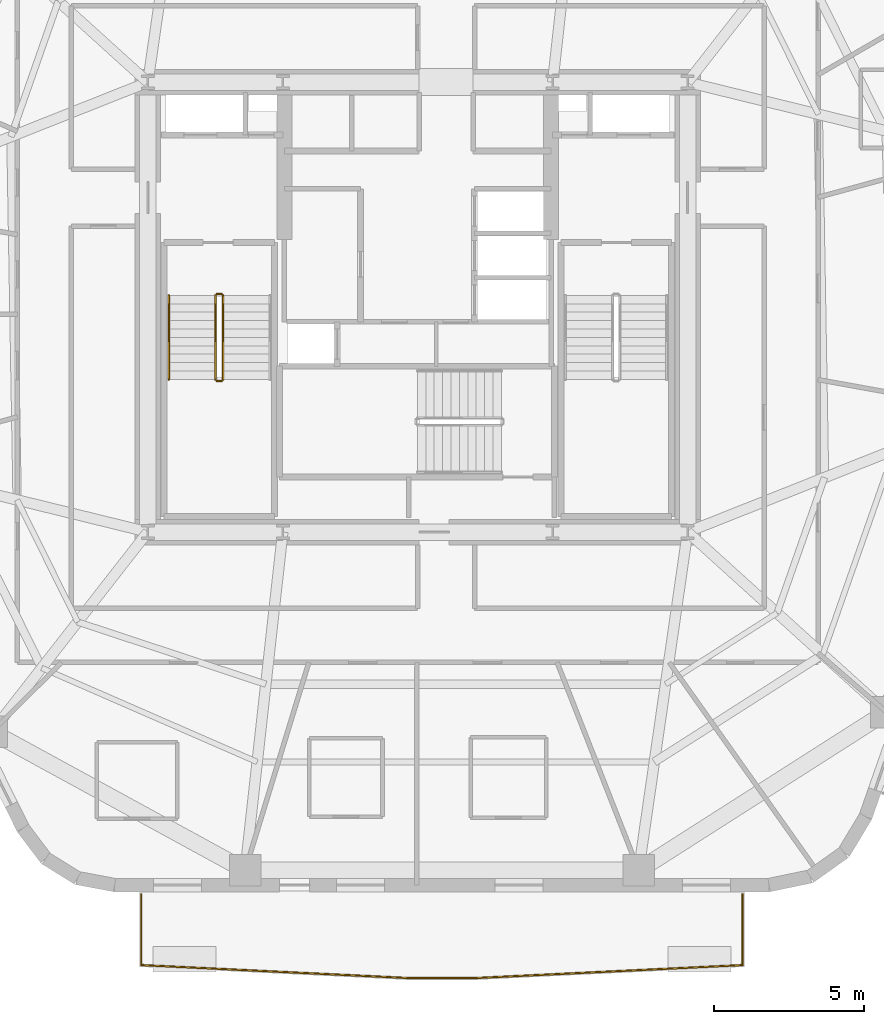
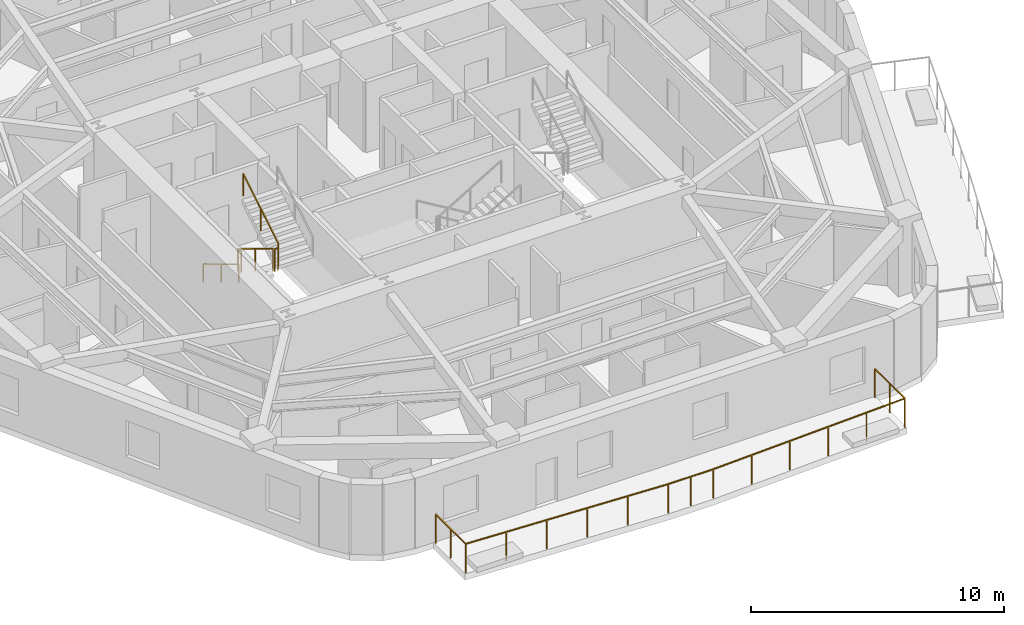
# One storey, part 8 of 11: 6 railings.
"""IFC4 building model written with IfcOpenShell, lengths in metres."""

from ifc_helpers import new_model, si_unit, direction, frame, origin, origin_2d, place, context, subcontext, project, spatial, rectangle, extrude, material, layer, layer_set, type_object, element, save


model = new_model("IFC4")

# Units and contexts
model_context = context("Model", 3, precision=1e-05, world=origin(), true_north=direction((0.0, 1.0)))
body_context = subcontext(model_context, "Body", "Model", "MODEL_VIEW")
ifc_project = project(units=[si_unit("LENGTHUNIT", "METRE"), si_unit("AREAUNIT", "SQUARE_METRE"), si_unit("VOLUMEUNIT", "CUBIC_METRE"), si_unit("PLANEANGLEUNIT", "RADIAN"), si_unit("MASSUNIT", "GRAM", prefix="KILO")], contexts=[model_context])

# Site, building, storey
site_placement = place(None, origin())
site = spatial("IfcSite", under=ifc_project, at=site_placement, CompositionType="ELEMENT")
building_placement = place(site_placement, origin())
building = spatial("IfcBuilding", under=site, at=building_placement, Name="Kilnhurst Terrace Hotel", CompositionType="ELEMENT")
storey_placement = place(building_placement, frame((0.0, 0.0, 166.5)))
storey = spatial("IfcBuildingStorey", under=building, at=storey_placement, Name="L41", CompositionType="ELEMENT", Elevation=166.5)

# Railings
ifc_material_1 = material(Name="Laminated SentryGlas and Stainless Steel AISI 316L Balustrade", Category="steel")
ifc_layer_1 = layer(ifc_material_1, 0.070068359375, Name="Laminated SentryGlas and Stainless Steel AISI 316L Balustrade")
ifc_layer_set_1 = layer_set([ifc_layer_1], Name="Laminated SentryGlas and Stainless Steel AISI 316L Balustrade")
railing_type_1 = type_object("IfcRailingType", Name="RLG-BAL-1420", PredefinedType="BALUSTRADE", material=ifc_layer_set_1)
railing_1_placement = place(storey_placement, frame((10.83349609375, -19.580078125, 0.0)))
element("IfcRailing", 1, at=railing_1_placement, inside=storey, type_object=railing_type_1, Name="L41 Exterior Terrace Guardrail BAL-L1A.1", PredefinedType="BALUSTRADE", context=body_context, shape_type="SweptSolid", body=[
    extrude(rectangle(XDim=0.048095703125, YDim=0.048095703125, at=origin_2d()), frame((0.0, 0.0, 1.39599609375), z_axis=(0.0, -1.0, 0.0), x_axis=(1.0, 0.0, 0.0)), (0.0, 0.0, 1.0), 2.36279296875),
    extrude(rectangle(XDim=0.048095703125, YDim=0.048095703125, at=origin_2d()), frame((0.0, -2.36279296875, 1.39599609375), z_axis=(-0.998822813861, -0.048507592295, 0.0), x_axis=(0.048507592295, -0.998822813861, 0.0)), (0.0, 0.0, 1.0), 9.009033203125),
    extrude(rectangle(XDim=0.048095703125, YDim=0.048095703125, at=origin_2d()), frame((-8.99853515625, -2.7998046875, 1.39599609375), z_axis=(-1.0, 0.0, 0.0), x_axis=(0.0, -1.0, 0.0)), (0.0, 0.0, 1.0), 2.0556640625),
    extrude(rectangle(XDim=0.048095703125, YDim=0.048095703125, at=origin_2d()), frame((-11.05419921875, -2.7998046875, 1.39599609375), z_axis=(-0.998822813861, 0.048507592295, 0.0), x_axis=(-0.048507592295, -0.998822813861, 0.0)), (0.0, 0.0, 1.0), 9.009033203125),
    extrude(rectangle(XDim=0.048095703125, YDim=0.048095703125, at=origin_2d()), frame((-20.052734375, -2.36279296875, 1.39599609375), z_axis=(0.0, 1.0, 0.0), x_axis=(-1.0, 0.0, 0.0)), (0.0, 0.0, 1.0), 2.36279296875),
    extrude(rectangle(XDim=0.0419921875, YDim=0.0419921875, at=origin_2d()), origin(), (0.0, 0.0, 1.0), 1.371826171875),
    extrude(rectangle(XDim=0.0419921875, YDim=0.0419921875, at=origin_2d()), frame((0.0, -1.181396484375, 0.0)), (0.0, 0.0, 1.0), 1.371826171875),
    extrude(rectangle(XDim=0.0419921875, YDim=0.0419921875, at=origin_2d()), frame((0.0, -2.36279296875, 0.0)), (0.0, 0.0, 1.0), 1.371826171875),
    extrude(rectangle(XDim=0.0419921875, YDim=0.0419921875, at=origin_2d()), frame((-1.7998046875, -2.4501953125, 0.0)), (0.0, 0.0, 1.0), 1.371826171875),
    extrude(rectangle(XDim=0.0419921875, YDim=0.0419921875, at=origin_2d()), frame((-3.599365234375, -2.53759765625, 0.0)), (0.0, 0.0, 1.0), 1.371826171875),
    extrude(rectangle(XDim=0.0419921875, YDim=0.0419921875, at=origin_2d()), frame((-5.399169921875, -2.625, 0.0)), (0.0, 0.0, 1.0), 1.371826171875),
    extrude(rectangle(XDim=0.0419921875, YDim=0.0419921875, at=origin_2d()), frame((-7.19873046875, -2.71240234375, 0.0)), (0.0, 0.0, 1.0), 1.371826171875),
    extrude(rectangle(XDim=0.0419921875, YDim=0.0419921875, at=origin_2d()), frame((-8.99853515625, -2.7998046875, 0.0)), (0.0, 0.0, 1.0), 1.371826171875),
    extrude(rectangle(XDim=0.0419921875, YDim=0.0419921875, at=origin_2d()), frame((-10.0263671875, -2.7998046875, 0.0)), (0.0, 0.0, 1.0), 1.371826171875),
    extrude(rectangle(XDim=0.0419921875, YDim=0.0419921875, at=origin_2d()), frame((-11.05419921875, -2.7998046875, 0.0)), (0.0, 0.0, 1.0), 1.371826171875),
    extrude(rectangle(XDim=0.0419921875, YDim=0.0419921875, at=origin_2d()), frame((-12.85400390625, -2.71240234375, 0.0)), (0.0, 0.0, 1.0), 1.371826171875),
    extrude(rectangle(XDim=0.0419921875, YDim=0.0419921875, at=origin_2d()), frame((-14.653564453125, -2.625, 0.0)), (0.0, 0.0, 1.0), 1.371826171875),
    extrude(rectangle(XDim=0.0419921875, YDim=0.0419921875, at=origin_2d()), frame((-16.453369140625, -2.53759765625, 0.0)), (0.0, 0.0, 1.0), 1.371826171875),
    extrude(rectangle(XDim=0.0419921875, YDim=0.0419921875, at=origin_2d()), frame((-18.2529296875, -2.4501953125, 0.0)), (0.0, 0.0, 1.0), 1.371826171875),
    extrude(rectangle(XDim=0.0419921875, YDim=0.0419921875, at=origin_2d()), frame((-20.052734375, -2.36279296875, 0.0)), (0.0, 0.0, 1.0), 1.371826171875),
    extrude(rectangle(XDim=0.0419921875, YDim=0.0419921875, at=origin_2d()), frame((-20.052734375, -1.181396484375, 0.0)), (0.0, 0.0, 1.0), 1.371826171875),
    extrude(rectangle(XDim=0.0419921875, YDim=0.0419921875, at=origin_2d()), frame((-20.052734375, 0.0, 0.0)), (0.0, 0.0, 1.0), 1.371826171875),
])
ifc_material_2 = material(Name="Powder-Coated Steel ASTM A500 Grade B", Category="steel")
ifc_layer_2 = layer(ifc_material_2, 0.050048828125, Name="Powder-Coated Steel ASTM A500 Grade B")
ifc_layer_set_2 = layer_set([ifc_layer_2], Name="Powder-Coated Steel ASTM A500 Grade B")
railing_type_2 = type_object("IfcRailingType", Name="RLG-ST-GRD-1100", PredefinedType="GUARDRAIL", material=ifc_layer_set_2)
railing_2_placement = place(storey_placement, frame((-6.739990234375, 0.389892578125, 0.168212890625)))
element("IfcRailing", 2, at=railing_2_placement, inside=storey, type_object=railing_type_2, Name="L41 ST-1 stair guard 1", PredefinedType="GUARDRAIL", context=body_context, shape_type="SweptSolid", body=[
    extrude(rectangle(XDim=0.048095703125, YDim=0.048095703125, at=origin_2d()), frame((0.0, 0.0, 1.076171875), z_axis=(0.0, -0.857222391501, 0.514946377315), x_axis=(1.0, 0.0, 0.0)), (0.0, 0.0, 1.0), 3.26611328125),
    extrude(rectangle(XDim=0.0419921875, YDim=0.0419921875, at=origin_2d()), origin(), (0.0, 0.0, 1.0), 1.052001953125),
    extrude(rectangle(XDim=0.0419921875, YDim=0.0419921875, at=origin_2d()), frame((0.0, -1.39990234375, 0.8408203125)), (0.0, 0.0, 1.0), 1.052001953125),
    extrude(rectangle(XDim=0.0419921875, YDim=0.0419921875, at=origin_2d()), frame((0.0, -2.7998046875, 1.681884765625)), (0.0, 0.0, 1.0), 1.052001953125),
])
railing_3_placement = place(storey_placement, frame((-6.68994140625, -2.4599609375, 1.85009765625)))
element("IfcRailing", 3, at=railing_3_placement, inside=storey, type_object=railing_type_2, Name="L41 ST-1 stair guard 2", PredefinedType="GUARDRAIL", context=body_context, shape_type="SweptSolid", body=[
    extrude(rectangle(XDim=0.048095703125, YDim=0.048095703125, at=origin_2d()), frame((0.0, 0.0, 1.076171875), z_axis=(1.0, 0.0, 0.0), x_axis=(0.0, 1.0, 0.0)), (0.0, 0.0, 1.0), 0.14990234375),
    extrude(rectangle(XDim=0.0419921875, YDim=0.0419921875, at=origin_2d()), origin(), (0.0, 0.0, 1.0), 1.052001953125),
    extrude(rectangle(XDim=0.0419921875, YDim=0.0419921875, at=origin_2d()), frame((0.14990234375, 0.0, 0.0)), (0.0, 0.0, 1.0), 1.052001953125),
])
railing_4_placement = place(storey_placement, frame((-6.489990234375, -2.409912109375, 2.01806640625)))
element("IfcRailing", 4, at=railing_4_placement, inside=storey, type_object=railing_type_2, Name="L41 ST-1 stair guard 3", PredefinedType="GUARDRAIL", context=body_context, shape_type="SweptSolid", body=[
    extrude(rectangle(XDim=0.048095703125, YDim=0.048095703125, at=origin_2d()), frame((0.0, 0.0, 1.076171875), z_axis=(0.0, 0.857222391501, 0.514946377315), x_axis=(-1.0, 0.0, 0.0)), (0.0, 0.0, 1.0), 3.26611328125),
    extrude(rectangle(XDim=0.0419921875, YDim=0.0419921875, at=origin_2d()), origin(), (0.0, 0.0, 1.0), 1.052001953125),
    extrude(rectangle(XDim=0.0419921875, YDim=0.0419921875, at=origin_2d()), frame((0.0, 1.39990234375, 0.8408203125)), (0.0, 0.0, 1.0), 1.052001953125),
    extrude(rectangle(XDim=0.0419921875, YDim=0.0419921875, at=origin_2d()), frame((0.0, 2.7998046875, 1.681884765625)), (0.0, 0.0, 1.0), 1.052001953125),
])
railing_5_placement = place(storey_placement, frame((-6.68994140625, 0.43994140625, 0.0)))
element("IfcRailing", 5, at=railing_5_placement, inside=storey, type_object=railing_type_2, Name="L41 ST-1 stair guard 4", PredefinedType="GUARDRAIL", context=body_context, shape_type="SweptSolid", body=[
    extrude(rectangle(XDim=0.048095703125, YDim=0.048095703125, at=origin_2d()), frame((0.0, 0.0, 1.076171875), z_axis=(1.0, 0.0, 0.0), x_axis=(0.0, 1.0, 0.0)), (0.0, 0.0, 1.0), 0.14990234375),
    extrude(rectangle(XDim=0.0419921875, YDim=0.0419921875, at=origin_2d()), origin(), (0.0, 0.0, 1.0), 1.052001953125),
    extrude(rectangle(XDim=0.0419921875, YDim=0.0419921875, at=origin_2d()), frame((0.14990234375, 0.0, 0.0)), (0.0, 0.0, 1.0), 1.052001953125),
])
ifc_material_3 = material(Name="Brushed Stainless Steel AISI 304", Category="steel")
ifc_layer_3 = layer(ifc_material_3, 0.048095703125, Name="Brushed Stainless Steel AISI 304")
ifc_layer_set_3 = layer_set([ifc_layer_3], Name="Brushed Stainless Steel AISI 304")
railing_type_3 = type_object("IfcRailingType", Name="RLG-ST-HRL-900", PredefinedType="HANDRAIL", material=ifc_layer_set_3)
railing_6_placement = place(storey_placement, frame((-8.300048828125, 0.389892578125, 0.168212890625)))
element("IfcRailing", 6, at=railing_6_placement, inside=storey, type_object=railing_type_3, Name="L41 ST-1 stair handrail 1", PredefinedType="HANDRAIL", context=body_context, shape_type="SweptSolid", body=[
    extrude(rectangle(XDim=0.048095703125, YDim=0.048095703125, at=origin_2d()), frame((0.0, 0.0, 0.8759765625), z_axis=(0.0, -0.857222391501, 0.514946377315), x_axis=(1.0, 0.0, 0.0)), (0.0, 0.0, 1.0), 3.26611328125),
    extrude(rectangle(XDim=0.0419921875, YDim=0.0419921875, at=origin_2d()), origin(), (0.0, 0.0, 1.0), 0.851806640625),
    extrude(rectangle(XDim=0.0419921875, YDim=0.0419921875, at=origin_2d()), frame((0.0, -1.39990234375, 0.8408203125)), (0.0, 0.0, 1.0), 0.851806640625),
    extrude(rectangle(XDim=0.0419921875, YDim=0.0419921875, at=origin_2d()), frame((0.0, -2.7998046875, 1.681884765625)), (0.0, 0.0, 1.0), 0.851806640625),
])

save(model, "model.ifc")
